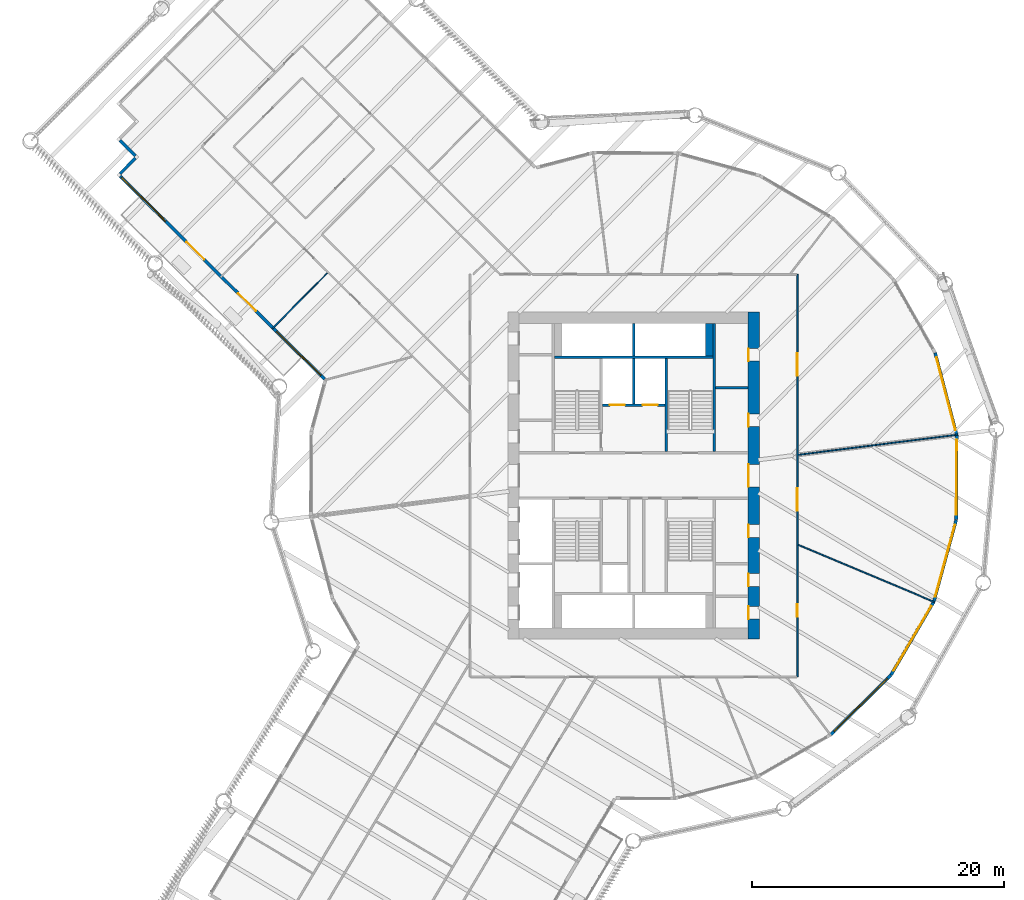
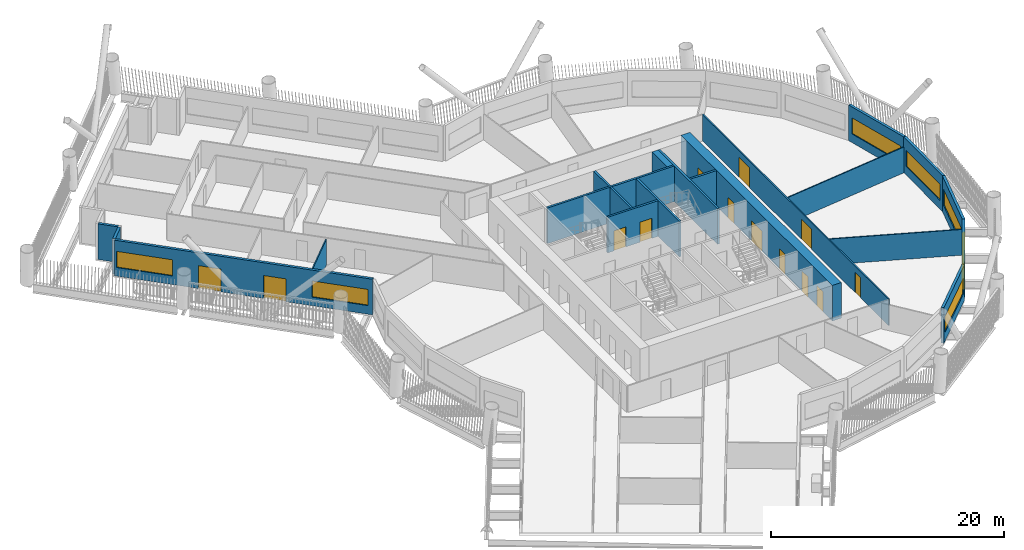
# One storey, part 6 of 22: 21 walls, 13 doors, 7 windows, 20 openings.
"""IFC4 building model written with IfcOpenShell, lengths in metres."""

from ifc_helpers import new_model, si_unit, direction, frame, frame_2d, origin, place, context, subcontext, project, spatial, rectangle, extrude, material, layer, layer_set, type_object, element, fill, save


model = new_model("IFC4")

# Units and contexts
model_context = context("Model", 3, precision=1e-05, world=origin(), true_north=direction((0.0, 1.0)))
body_context = subcontext(model_context, "Body", "Model", "MODEL_VIEW")
ifc_project = project(units=[si_unit("LENGTHUNIT", "METRE"), si_unit("AREAUNIT", "SQUARE_METRE"), si_unit("VOLUMEUNIT", "CUBIC_METRE"), si_unit("PLANEANGLEUNIT", "RADIAN"), si_unit("MASSUNIT", "GRAM", prefix="KILO")], contexts=[model_context])

# Site, building, storey
site_placement = place(None, origin())
site = spatial("IfcSite", under=ifc_project, at=site_placement, CompositionType="ELEMENT")
building_placement = place(site_placement, origin())
building = spatial("IfcBuilding", under=site, at=building_placement, Name="Tarsis Ring Headquarters", CompositionType="ELEMENT")
storey_placement = place(building_placement, frame((0.0, 0.0, 79.0)))
storey = spatial("IfcBuildingStorey", under=building, at=storey_placement, Name="L17", CompositionType="ELEMENT", Elevation=79.0)

# Wall
ifc_material_1 = material(Name="Blockwork", Category="masonry")
ifc_layer_1 = layer(ifc_material_1, 0.199951171875)
ifc_layer_set_1 = layer_set([ifc_layer_1], Name="Core blockwork wall 200")
wall_type_1 = type_object("IfcWallType", Name="Core blockwork wall 200", PredefinedType="PARTITIONING", material=ifc_layer_set_1)
wall_1_placement = place(storey_placement, frame((6.5, 7.0, 0.0), z_axis=(0.0, 0.0, 1.0), x_axis=(1.0, 0.0, 0.0)))
element("IfcWall", 1, at=wall_1_placement, inside=storey, type_object=wall_type_1, Name="Core partition ED6", PredefinedType="PARTITIONING", context=body_context, shape_type="SweptSolid", body=[
    extrude(rectangle(XDim=2.60009765625, YDim=0.199951171875, at=frame_2d((1.300048828125, 0.0))), origin(), (0.0, 0.0, 1.0), 3.739990234375),
])

# Wall, openings, doors
ifc_material_2 = material(Name="Concrete C60/75", Category="concrete")
ifc_layer_2 = layer(ifc_material_2, 0.89990234375)
ifc_layer_set_2 = layer_set([ifc_layer_2], Name="Core wall 900 C60/75")
wall_type_2 = type_object("IfcWallType", Name="Core wall 900 C60/75", PredefinedType="SHEAR", material=ifc_layer_set_2)
wall_2_placement = place(storey_placement, frame((9.550048828125, -13.0, 0.0), z_axis=(0.0, 0.0, 1.0), x_axis=(0.0, 1.0, 0.0)))
wall_2 = element("IfcWall", 2, at=wall_2_placement, inside=storey, type_object=wall_type_2, Name="Core wall OE", PredefinedType="SHEAR", context=body_context, shape_type="SweptSolid", body=[
    extrude(rectangle(XDim=26.0, YDim=0.89990234375, at=frame_2d((13.0, 0.0))), origin(), (0.0, 0.0, 1.0), 3.739990234375),
])
opening_1_placement = place(wall_2_placement, frame((1.60009765625, 0.0, 0.0)))
opening_1 = element("IfcOpeningElement", 3, at=opening_1_placement, cuts=wall_2, Name="Opening L17-C09", PredefinedType="OPENING", context=body_context, shape_type="SweptSolid", body=[
    extrude(rectangle(XDim=1.0, YDim=2.10009765625, at=frame_2d((0.5, 1.050048828125))), frame((0.0, 0.4599609375, 0.0), z_axis=(0.0, -1.0, 0.0), x_axis=(1.0, 0.0, 0.0)), (0.0, 0.0, 1.0), 0.919921875),
])
opening_2_placement = place(wall_2_placement, frame((4.199951171875, 0.0, 0.0)))
opening_2 = element("IfcOpeningElement", 4, at=opening_2_placement, cuts=wall_2, Name="Opening L17-C10", PredefinedType="OPENING", context=body_context, shape_type="SweptSolid", body=[
    extrude(rectangle(XDim=1.0, YDim=2.10009765625, at=frame_2d((0.5, 1.050048828125))), frame((0.0, 0.4599609375, 0.0), z_axis=(0.0, -1.0, 0.0), x_axis=(1.0, 0.0, 0.0)), (0.0, 0.0, 1.0), 0.919921875),
])
opening_3_placement = place(wall_2_placement, frame((8.10009765625, 0.0, 0.0)))
opening_3 = element("IfcOpeningElement", 5, at=opening_3_placement, cuts=wall_2, Name="Opening L17-C11", PredefinedType="OPENING", context=body_context, shape_type="SweptSolid", body=[
    extrude(rectangle(XDim=1.0, YDim=2.10009765625, at=frame_2d((0.5, 1.050048828125))), frame((0.0, 0.4599609375, 0.0), z_axis=(0.0, -1.0, 0.0), x_axis=(1.0, 0.0, 0.0)), (0.0, 0.0, 1.0), 0.919921875),
])
opening_4_placement = place(wall_2_placement, frame((12.10009765625, 0.0, 0.0)))
opening_4 = element("IfcOpeningElement", 6, at=opening_4_placement, cuts=wall_2, Name="Opening L17-C12", PredefinedType="OPENING", context=body_context, shape_type="SweptSolid", body=[
    extrude(rectangle(XDim=1.800048828125, YDim=2.10009765625, at=frame_2d((0.89990234375, 1.050048828125))), frame((0.0, 0.4599609375, 0.0), z_axis=(0.0, -1.0, 0.0), x_axis=(1.0, 0.0, 0.0)), (0.0, 0.0, 1.0), 0.919921875),
])
opening_5_placement = place(wall_2_placement, frame((16.89990234375, 0.0, 0.0)))
opening_5 = element("IfcOpeningElement", 7, at=opening_5_placement, cuts=wall_2, Name="Opening L17-C13", PredefinedType="OPENING", context=body_context, shape_type="SweptSolid", body=[
    extrude(rectangle(XDim=1.0, YDim=2.10009765625, at=frame_2d((0.5, 1.050048828125))), frame((0.0, 0.4599609375, 0.0), z_axis=(0.0, -1.0, 0.0), x_axis=(1.0, 0.0, 0.0)), (0.0, 0.0, 1.0), 0.919921875),
])
opening_6_placement = place(wall_2_placement, frame((22.10009765625, 0.0, 0.0)))
opening_6 = element("IfcOpeningElement", 8, at=opening_6_placement, cuts=wall_2, Name="Opening L17-C14", PredefinedType="OPENING", context=body_context, shape_type="SweptSolid", body=[
    extrude(rectangle(XDim=1.0, YDim=2.10009765625, at=frame_2d((0.5, 1.050048828125))), frame((0.0, 0.4599609375, 0.0), z_axis=(0.0, -1.0, 0.0), x_axis=(1.0, 0.0, 0.0)), (0.0, 0.0, 1.0), 0.919921875),
])
ifc_material_3 = material(Name="Steel S355", Category="steel")
door_type_1 = type_object("IfcDoorType", Name="Core entry door 1800x2100", OperationType="DOUBLE_DOOR_SINGLE_SWING", PredefinedType="DOOR", material=ifc_material_3)
door_1_placement = place(opening_4_placement, origin())
door_1 = element("IfcDoor", 9, at=door_1_placement, inside=storey, type_object=door_type_1, Name="Core entry door L17", OperationType="DOUBLE_DOOR_SINGLE_SWING", OverallHeight=2.10009765625, OverallWidth=1.800048828125, PredefinedType="DOOR", context=body_context, shape_type="SweptSolid", body=[
    extrude(rectangle(XDim=1.800048828125, YDim=2.10009765625, at=frame_2d((0.89990234375, 1.050048828125))), frame((0.0, 0.4501953125, 0.0), z_axis=(0.0, -1.0, 0.0), x_axis=(1.0, 0.0, 0.0)), (0.0, 0.0, 1.0), 0.050048828125),
])
fill(opening_4, door_1)
door_type_2 = type_object("IfcDoorType", Name="Core room door 1000x2100", OperationType="SINGLE_SWING_LEFT", PredefinedType="DOOR", material=ifc_material_3)
door_2_placement = place(opening_1_placement, origin())
door_2 = element("IfcDoor", 10, at=door_2_placement, inside=storey, type_object=door_type_2, Name="Core room door L17", OperationType="SINGLE_SWING_LEFT", OverallHeight=2.10009765625, OverallWidth=1.0, PredefinedType="DOOR", context=body_context, shape_type="SweptSolid", body=[
    extrude(rectangle(XDim=1.0, YDim=2.10009765625, at=frame_2d((0.5, 1.050048828125))), frame((0.0, 0.4501953125, 0.0), z_axis=(0.0, -1.0, 0.0), x_axis=(1.0, 0.0, 0.0)), (0.0, 0.0, 1.0), 0.050048828125),
])
fill(opening_1, door_2)
door_3_placement = place(opening_2_placement, origin())
door_3 = element("IfcDoor", 11, at=door_3_placement, inside=storey, type_object=door_type_2, Name="Core room door L17", OperationType="SINGLE_SWING_LEFT", OverallHeight=2.10009765625, OverallWidth=1.0, PredefinedType="DOOR", context=body_context, shape_type="SweptSolid", body=[
    extrude(rectangle(XDim=1.0, YDim=2.10009765625, at=frame_2d((0.5, 1.050048828125))), frame((0.0, 0.4501953125, 0.0), z_axis=(0.0, -1.0, 0.0), x_axis=(1.0, 0.0, 0.0)), (0.0, 0.0, 1.0), 0.050048828125),
])
fill(opening_2, door_3)
door_4_placement = place(opening_3_placement, origin())
door_4 = element("IfcDoor", 12, at=door_4_placement, inside=storey, type_object=door_type_2, Name="Core room door L17", OperationType="SINGLE_SWING_LEFT", OverallHeight=2.10009765625, OverallWidth=1.0, PredefinedType="DOOR", context=body_context, shape_type="SweptSolid", body=[
    extrude(rectangle(XDim=1.0, YDim=2.10009765625, at=frame_2d((0.5, 1.050048828125))), frame((0.0, 0.4501953125, 0.0), z_axis=(0.0, -1.0, 0.0), x_axis=(1.0, 0.0, 0.0)), (0.0, 0.0, 1.0), 0.050048828125),
])
fill(opening_3, door_4)
door_5_placement = place(opening_5_placement, origin())
door_5 = element("IfcDoor", 13, at=door_5_placement, inside=storey, type_object=door_type_2, Name="Core room door L17", OperationType="SINGLE_SWING_LEFT", OverallHeight=2.10009765625, OverallWidth=1.0, PredefinedType="DOOR", context=body_context, shape_type="SweptSolid", body=[
    extrude(rectangle(XDim=1.0, YDim=2.10009765625, at=frame_2d((0.5, 1.050048828125))), frame((0.0, 0.4501953125, 0.0), z_axis=(0.0, -1.0, 0.0), x_axis=(1.0, 0.0, 0.0)), (0.0, 0.0, 1.0), 0.050048828125),
])
fill(opening_5, door_5)
door_6_placement = place(opening_6_placement, origin())
door_6 = element("IfcDoor", 14, at=door_6_placement, inside=storey, type_object=door_type_2, Name="Core room door L17", OperationType="SINGLE_SWING_LEFT", OverallHeight=2.10009765625, OverallWidth=1.0, PredefinedType="DOOR", context=body_context, shape_type="SweptSolid", body=[
    extrude(rectangle(XDim=1.0, YDim=2.10009765625, at=frame_2d((0.5, 1.050048828125))), frame((0.0, 0.4501953125, 0.0), z_axis=(0.0, -1.0, 0.0), x_axis=(1.0, 0.0, 0.0)), (0.0, 0.0, 1.0), 0.050048828125),
])
fill(opening_6, door_6)

# Walls
ifc_material_4 = material(Name="Gypsum board on steel studs", Category="steel")
ifc_layer_3 = layer(ifc_material_4, 0.10009765625)
ifc_layer_set_3 = layer_set([ifc_layer_3], Name="FL partition 100 unrated")
wall_type_3 = type_object("IfcWallType", Name="FL partition 100 unrated", PredefinedType="PARTITIONING", material=ifc_layer_set_3)
wall_3_placement = place(storey_placement, frame((13.0693359375, 1.651123046875, 0.0), z_axis=(0.0, 0.0, 1.0), x_axis=(0.992114726728, 0.125333032399, 0.0)))
element("IfcWall", 15, at=wall_3_placement, inside=storey, type_object=wall_type_3, Name="Partition PW3", PredefinedType="PARTITIONING", context=body_context, shape_type="SweptSolid", body=[
    extrude(rectangle(XDim=12.774658203125, YDim=0.10009765625, at=frame_2d((6.38720703125, 0.0))), origin(), (0.0, 0.0, 1.0), 2.699951171875),
])
wall_4_placement = place(storey_placement, frame((13.07373046875, -5.49560546875, 0.0), z_axis=(0.0, 0.0, 1.0), x_axis=(0.921861754544, -0.387518909873, 0.0)))
element("IfcWall", 16, at=wall_4_placement, inside=storey, type_object=wall_type_3, Name="Partition PW3", PredefinedType="PARTITIONING", context=body_context, shape_type="SweptSolid", body=[
    extrude(rectangle(XDim=11.76611328125, YDim=0.10009765625, at=frame_2d((5.883056640625, 0.0))), origin(), (0.0, 0.0, 1.0), 2.699951171875),
])
wall_5_placement = place(storey_placement, frame((-28.728271484375, 11.687255859375, 0.0), z_axis=(0.0, 0.0, 1.0), x_axis=(0.704629659471, 0.709575255343, 0.0)))
element("IfcWall", 17, at=wall_5_placement, inside=storey, type_object=wall_type_3, Name="Partition PW3", PredefinedType="PARTITIONING", context=body_context, shape_type="SweptSolid", body=[
    extrude(rectangle(XDim=6.219970703125, YDim=0.10009765625, at=frame_2d((3.10986328125, 0.0))), origin(), (0.0, 0.0, 1.0), 2.699951171875),
])

# Wall, openings, doors
ifc_layer_4 = layer(ifc_material_4, 0.125)
ifc_layer_set_4 = layer_set([ifc_layer_4], Name="FL partition 125 EI 60 H2770")
wall_type_4 = type_object("IfcWallType", Name="FL partition 125 EI 60 H2770", PredefinedType="PARTITIONING", material=ifc_layer_set_4)
wall_6_placement = place(storey_placement, frame((13.0, -16.0, 0.0), z_axis=(0.0, 0.0, 1.0), x_axis=(0.0, 1.0, 0.0)))
wall_6 = element("IfcWall", 18, at=wall_6_placement, inside=storey, type_object=wall_type_4, Name="Partition PW1", PredefinedType="PARTITIONING", context=body_context, shape_type="SweptSolid", body=[
    extrude(rectangle(XDim=32.0, YDim=0.125, at=frame_2d((16.0, 0.0))), origin(), (0.0, 0.0, 1.0), 2.77001953125),
])
opening_7_placement = place(wall_6_placement, frame((23.921142578125, 0.0, 0.0)))
opening_7 = element("IfcOpeningElement", 19, at=opening_7_placement, cuts=wall_6, Name="Opening D17.08", PredefinedType="OPENING", context=body_context, shape_type="SweptSolid", body=[
    extrude(rectangle(XDim=1.800048828125, YDim=2.10009765625, at=frame_2d((0.89990234375, 1.050048828125))), frame((0.0, 0.072509765625, 0.0), z_axis=(0.0, -1.0, 0.0), x_axis=(1.0, 0.0, 0.0)), (0.0, 0.0, 1.0), 0.14501953125),
])
opening_8_placement = place(wall_6_placement, frame((13.188720703125, 0.0, 0.0)))
opening_8 = element("IfcOpeningElement", 20, at=opening_8_placement, cuts=wall_6, Name="Opening D17.09", PredefinedType="OPENING", context=body_context, shape_type="SweptSolid", body=[
    extrude(rectangle(XDim=1.800048828125, YDim=2.10009765625, at=frame_2d((0.89990234375, 1.050048828125))), frame((0.0, 0.072509765625, 0.0), z_axis=(0.0, -1.0, 0.0), x_axis=(1.0, 0.0, 0.0)), (0.0, 0.0, 1.0), 0.14501953125),
])
opening_9_placement = place(wall_6_placement, frame((4.767578125, 0.0, 0.0)))
opening_9 = element("IfcOpeningElement", 21, at=opening_9_placement, cuts=wall_6, Name="Opening D17.10", PredefinedType="OPENING", context=body_context, shape_type="SweptSolid", body=[
    extrude(rectangle(XDim=1.0, YDim=2.10009765625, at=frame_2d((0.5, 1.050048828125))), frame((0.0, 0.072509765625, 0.0), z_axis=(0.0, -1.0, 0.0), x_axis=(1.0, 0.0, 0.0)), (0.0, 0.0, 1.0), 0.14501953125),
])
ifc_material_5 = material(Name="Fire-rated timber door leaf in steel frame", Category="steel")
door_type_3 = type_object("IfcDoorType", Name="FL door FD60-1000", OperationType="NOTDEFINED", PredefinedType="DOOR", material=ifc_material_5)
door_7_placement = place(opening_9_placement, origin())
door_7 = element("IfcDoor", 22, at=door_7_placement, inside=storey, type_object=door_type_3, Name="Door D17.10", OperationType="SINGLE_SWING_LEFT", OverallHeight=2.10009765625, OverallWidth=1.0, PredefinedType="DOOR", context=body_context, shape_type="SweptSolid", body=[
    extrude(rectangle(XDim=1.0, YDim=2.10009765625, at=frame_2d((0.5, 1.050048828125))), frame((0.0, 0.02490234375, 0.0), z_axis=(0.0, -1.0, 0.0), x_axis=(1.0, 0.0, 0.0)), (0.0, 0.0, 1.0), 0.050048828125),
])
fill(opening_9, door_7)
door_type_4 = type_object("IfcDoorType", Name="FL door FD60-1800", OperationType="DOUBLE_DOOR_SINGLE_SWING", PredefinedType="DOOR", material=ifc_material_5)
door_8_placement = place(opening_7_placement, origin())
door_8 = element("IfcDoor", 23, at=door_8_placement, inside=storey, type_object=door_type_4, Name="Door D17.08", OperationType="DOUBLE_DOOR_SINGLE_SWING", OverallHeight=2.10009765625, OverallWidth=1.800048828125, PredefinedType="DOOR", context=body_context, shape_type="SweptSolid", body=[
    extrude(rectangle(XDim=1.800048828125, YDim=2.10009765625, at=frame_2d((0.89990234375, 1.050048828125))), frame((0.0, 0.02490234375, 0.0), z_axis=(0.0, -1.0, 0.0), x_axis=(1.0, 0.0, 0.0)), (0.0, 0.0, 1.0), 0.050048828125),
])
fill(opening_7, door_8)
door_9_placement = place(opening_8_placement, origin())
door_9 = element("IfcDoor", 24, at=door_9_placement, inside=storey, type_object=door_type_4, Name="Door D17.09", OperationType="DOUBLE_DOOR_SINGLE_SWING", OverallHeight=2.10009765625, OverallWidth=1.800048828125, PredefinedType="DOOR", context=body_context, shape_type="SweptSolid", body=[
    extrude(rectangle(XDim=1.800048828125, YDim=2.10009765625, at=frame_2d((0.89990234375, 1.050048828125))), frame((0.0, 0.02490234375, 0.0), z_axis=(0.0, -1.0, 0.0), x_axis=(1.0, 0.0, 0.0)), (0.0, 0.0, 1.0), 0.050048828125),
])
fill(opening_8, door_9)

# Wall, openings, doors, windows
ifc_material_6 = material(Name="Terracotta clad insulated panel wall", Category="masonry")
ifc_layer_5 = layer(ifc_material_6, 0.25)
ifc_layer_set_5 = layer_set([ifc_layer_5], Name="Facade wall terracotta panel 250")
wall_type_5 = type_object("IfcWallType", Name="Facade wall terracotta panel 250", PredefinedType="STANDARD", material=ifc_layer_set_5)
wall_7_placement = place(storey_placement, frame((-40.830322265625, 23.810791015625, 0.0), z_axis=(0.0, 0.0, 1.0), x_axis=(0.709568183697, -0.704636780679, 0.0)))
wall_7 = element("IfcWall", 25, at=wall_7_placement, inside=storey, type_object=wall_type_5, Name="External wall L17-01", PredefinedType="STANDARD", context=body_context, shape_type="SweptSolid", body=[
    extrude(rectangle(XDim=22.921875, YDim=0.25, at=frame_2d((11.4609375, 0.0))), origin(), (0.0, 0.0, 1.0), 3.739990234375),
])
opening_10_placement = place(wall_7_placement, frame((0.17138671875, 0.0, 0.89990234375)))
opening_10 = element("IfcOpeningElement", 26, at=opening_10_placement, cuts=wall_7, Name="Opening WN05", PredefinedType="OPENING", context=body_context, shape_type="SweptSolid", body=[
    extrude(rectangle(XDim=4.949951171875, YDim=1.699951171875, at=frame_2d((2.47509765625, 0.85009765625))), frame((0.0, 0.135009765625, 0.0), z_axis=(0.0, -1.0, 0.0), x_axis=(1.0, 0.0, 0.0)), (0.0, 0.0, 1.0), 0.27001953125),
])
opening_11_placement = place(wall_7_placement, frame((7.439453125, 0.0, 0.0)))
opening_11 = element("IfcOpeningElement", 27, at=opening_11_placement, cuts=wall_7, Name="Opening L17-BD01", PredefinedType="OPENING", context=body_context, shape_type="SweptSolid", body=[
    extrude(rectangle(XDim=2.0, YDim=2.39990234375, at=frame_2d((1.0, 1.199951171875))), frame((0.0, 0.135009765625, 0.0), z_axis=(0.0, -1.0, 0.0), x_axis=(1.0, 0.0, 0.0)), (0.0, 0.0, 1.0), 0.27001953125),
])
opening_12_placement = place(wall_7_placement, frame((13.232421875, 0.0, 0.0)))
opening_12 = element("IfcOpeningElement", 28, at=opening_12_placement, cuts=wall_7, Name="Opening L17-BD02", PredefinedType="OPENING", context=body_context, shape_type="SweptSolid", body=[
    extrude(rectangle(XDim=2.0, YDim=2.39990234375, at=frame_2d((1.0, 1.199951171875))), frame((0.0, 0.135009765625, 0.0), z_axis=(0.0, -1.0, 0.0), x_axis=(1.0, 0.0, 0.0)), (0.0, 0.0, 1.0), 0.27001953125),
])
opening_13_placement = place(wall_7_placement, frame((17.550537109375, 0.0, 0.89990234375)))
opening_13 = element("IfcOpeningElement", 29, at=opening_13_placement, cuts=wall_7, Name="Opening WN05", PredefinedType="OPENING", context=body_context, shape_type="SweptSolid", body=[
    extrude(rectangle(XDim=4.949951171875, YDim=1.699951171875, at=frame_2d((2.47509765625, 0.85009765625))), frame((0.0, 0.135009765625, 0.0), z_axis=(0.0, -1.0, 0.0), x_axis=(1.0, 0.0, 0.0)), (0.0, 0.0, 1.0), 0.27001953125),
])
ifc_material_7 = material(Name="Aluminium framed double glazing", Category="aluminium")
door_type_5 = type_object("IfcDoorType", Name="Balcony sliding door 2000 x 2400", OperationType="SLIDING_TO_LEFT", PredefinedType="DOOR", material=ifc_material_7)
door_10_placement = place(opening_11_placement, origin())
door_10 = element("IfcDoor", 30, at=door_10_placement, inside=storey, type_object=door_type_5, Name="Door L17-BD01", OperationType="SINGLE_SWING_LEFT", OverallHeight=2.39990234375, OverallWidth=2.0, PredefinedType="DOOR", context=body_context, shape_type="SweptSolid", body=[
    extrude(rectangle(XDim=2.0, YDim=2.39990234375, at=frame_2d((1.0, 1.199951171875))), frame((0.0, 0.02490234375, 0.0), z_axis=(0.0, -1.0, 0.0), x_axis=(1.0, 0.0, 0.0)), (0.0, 0.0, 1.0), 0.050048828125),
])
fill(opening_11, door_10)
door_11_placement = place(opening_12_placement, origin())
door_11 = element("IfcDoor", 31, at=door_11_placement, inside=storey, type_object=door_type_5, Name="Door L17-BD02", OperationType="SINGLE_SWING_LEFT", OverallHeight=2.39990234375, OverallWidth=2.0, PredefinedType="DOOR", context=body_context, shape_type="SweptSolid", body=[
    extrude(rectangle(XDim=2.0, YDim=2.39990234375, at=frame_2d((1.0, 1.199951171875))), frame((0.0, 0.02490234375, 0.0), z_axis=(0.0, -1.0, 0.0), x_axis=(1.0, 0.0, 0.0)), (0.0, 0.0, 1.0), 0.050048828125),
])
fill(opening_12, door_11)
window_type_1 = type_object("IfcWindowType", Name="Facade window 4950 x 1700", PartitioningType="SINGLE_PANEL", PredefinedType="WINDOW", material=ifc_material_7)
window_1_placement = place(opening_10_placement, origin())
window_1 = element("IfcWindow", 32, at=window_1_placement, inside=storey, type_object=window_type_1, Name="Window L17-01.1", OverallHeight=1.699951171875, OverallWidth=4.949951171875, PartitioningType="SINGLE_PANEL", PredefinedType="WINDOW", context=body_context, shape_type="SweptSolid", body=[
    extrude(rectangle(XDim=4.949951171875, YDim=1.699951171875, at=frame_2d((2.47509765625, 0.85009765625))), frame((0.0, 0.030029296875, 0.0), z_axis=(0.0, -1.0, 0.0), x_axis=(1.0, 0.0, 0.0)), (0.0, 0.0, 1.0), 0.06005859375),
])
fill(opening_10, window_1)
window_2_placement = place(opening_13_placement, origin())
window_2 = element("IfcWindow", 33, at=window_2_placement, inside=storey, type_object=window_type_1, Name="Window L17-01.4", OverallHeight=1.699951171875, OverallWidth=4.949951171875, PartitioningType="SINGLE_PANEL", PredefinedType="WINDOW", context=body_context, shape_type="SweptSolid", body=[
    extrude(rectangle(XDim=4.949951171875, YDim=1.699951171875, at=frame_2d((2.47509765625, 0.85009765625))), frame((0.0, 0.030029296875, 0.0), z_axis=(0.0, -1.0, 0.0), x_axis=(1.0, 0.0, 0.0)), (0.0, 0.0, 1.0), 0.06005859375),
])
fill(opening_13, window_2)

# Wall, opening, window
wall_8_placement = place(storey_placement, frame((15.655029296875, -20.59765625, 0.0), z_axis=(0.0, 0.0, 1.0), x_axis=(0.710802006514, 0.703392143499, 0.0)))
wall_8 = element("IfcWall", 34, at=wall_8_placement, inside=storey, type_object=wall_type_5, Name="External wall L17-20", PredefinedType="STANDARD", context=body_context, shape_type="SweptSolid", body=[
    extrude(rectangle(XDim=6.721435546875, YDim=0.25, at=frame_2d((3.36083984375, 0.0))), origin(), (0.0, 0.0, 1.0), 3.739990234375),
])
opening_14_placement = place(wall_8_placement, frame((0.3857421875, 0.0, 0.89990234375)))
opening_14 = element("IfcOpeningElement", 35, at=opening_14_placement, cuts=wall_8, Name="Opening WN07", PredefinedType="OPENING", context=body_context, shape_type="SweptSolid", body=[
    extrude(rectangle(XDim=5.949951171875, YDim=1.699951171875, at=frame_2d((2.97509765625, 0.85009765625))), frame((0.0, 0.135009765625, 0.0), z_axis=(0.0, -1.0, 0.0), x_axis=(1.0, 0.0, 0.0)), (0.0, 0.0, 1.0), 0.27001953125),
])
window_type_2 = type_object("IfcWindowType", Name="Facade window 5950 x 1700", PartitioningType="SINGLE_PANEL", PredefinedType="WINDOW", material=ifc_material_7)
window_3_placement = place(opening_14_placement, origin())
window_3 = element("IfcWindow", 36, at=window_3_placement, inside=storey, type_object=window_type_2, Name="Window L17-20.1", OverallHeight=1.699951171875, OverallWidth=5.949951171875, PartitioningType="SINGLE_PANEL", PredefinedType="WINDOW", context=body_context, shape_type="SweptSolid", body=[
    extrude(rectangle(XDim=5.949951171875, YDim=1.699951171875, at=frame_2d((2.97509765625, 0.85009765625))), frame((0.0, 0.030029296875, 0.0), z_axis=(0.0, -1.0, 0.0), x_axis=(1.0, 0.0, 0.0)), (0.0, 0.0, 1.0), 0.06005859375),
])
fill(opening_14, window_3)

wall_9_placement = place(storey_placement, frame((20.45263671875, -15.843994140625, 0.0), z_axis=(0.0, 0.0, 1.0), x_axis=(0.504552899392, 0.863380780256, 0.0)))
wall_9 = element("IfcWall", 37, at=wall_9_placement, inside=storey, type_object=wall_type_5, Name="External wall L17-21", PredefinedType="STANDARD", context=body_context, shape_type="SweptSolid", body=[
    extrude(rectangle(XDim=6.721435546875, YDim=0.25, at=frame_2d((3.36083984375, 0.0))), origin(), (0.0, 0.0, 1.0), 3.739990234375),
])
opening_15_placement = place(wall_9_placement, frame((0.3857421875, 0.0, 0.89990234375)))
opening_15 = element("IfcOpeningElement", 38, at=opening_15_placement, cuts=wall_9, Name="Opening WN07", PredefinedType="OPENING", context=body_context, shape_type="SweptSolid", body=[
    extrude(rectangle(XDim=5.949951171875, YDim=1.699951171875, at=frame_2d((2.97509765625, 0.85009765625))), frame((0.0, 0.135009765625, 0.0), z_axis=(0.0, -1.0, 0.0), x_axis=(1.0, 0.0, 0.0)), (0.0, 0.0, 1.0), 0.27001953125),
])
window_4_placement = place(opening_15_placement, origin())
window_4 = element("IfcWindow", 39, at=window_4_placement, inside=storey, type_object=window_type_2, Name="Window L17-21.1", OverallHeight=1.699951171875, OverallWidth=5.949951171875, PartitioningType="SINGLE_PANEL", PredefinedType="WINDOW", context=body_context, shape_type="SweptSolid", body=[
    extrude(rectangle(XDim=5.949951171875, YDim=1.699951171875, at=frame_2d((2.97509765625, 0.85009765625))), frame((0.0, 0.030029296875, 0.0), z_axis=(0.0, -1.0, 0.0), x_axis=(1.0, 0.0, 0.0)), (0.0, 0.0, 1.0), 0.06005859375),
])
fill(opening_15, window_4)

wall_10_placement = place(storey_placement, frame((23.8564453125, -10.0107421875, 0.0), z_axis=(0.0, 0.0, 1.0), x_axis=(0.263876445843, 0.964556489444, 0.0)))
wall_10 = element("IfcWall", 40, at=wall_10_placement, inside=storey, type_object=wall_type_5, Name="External wall L17-22", PredefinedType="STANDARD", context=body_context, shape_type="SweptSolid", body=[
    extrude(rectangle(XDim=6.7216796875, YDim=0.25, at=frame_2d((3.36083984375, 0.0))), origin(), (0.0, 0.0, 1.0), 3.739990234375),
])
opening_16_placement = place(wall_10_placement, frame((0.3857421875, 0.0, 0.89990234375)))
opening_16 = element("IfcOpeningElement", 41, at=opening_16_placement, cuts=wall_10, Name="Opening WN07", PredefinedType="OPENING", context=body_context, shape_type="SweptSolid", body=[
    extrude(rectangle(XDim=5.949951171875, YDim=1.699951171875, at=frame_2d((2.97509765625, 0.85009765625))), frame((0.0, 0.135009765625, 0.0), z_axis=(0.0, -1.0, 0.0), x_axis=(1.0, 0.0, 0.0)), (0.0, 0.0, 1.0), 0.27001953125),
])
window_5_placement = place(opening_16_placement, origin())
window_5 = element("IfcWindow", 42, at=window_5_placement, inside=storey, type_object=window_type_2, Name="Window L17-22.1", OverallHeight=1.699951171875, OverallWidth=5.949951171875, PartitioningType="SINGLE_PANEL", PredefinedType="WINDOW", context=body_context, shape_type="SweptSolid", body=[
    extrude(rectangle(XDim=5.949951171875, YDim=1.699951171875, at=frame_2d((2.97509765625, 0.85009765625))), frame((0.0, 0.030029296875, 0.0), z_axis=(0.0, -1.0, 0.0), x_axis=(1.0, 0.0, 0.0)), (0.0, 0.0, 1.0), 0.06005859375),
])
fill(opening_16, window_5)

wall_11_placement = place(storey_placement, frame((25.634521484375, -3.4951171875, 0.0), z_axis=(0.0, 0.0, 1.0), x_axis=(0.005266717117, 0.999986130749, 0.0)))
wall_11 = element("IfcWall", 43, at=wall_11_placement, inside=storey, type_object=wall_type_5, Name="External wall L17-23", PredefinedType="STANDARD", context=body_context, shape_type="SweptSolid", body=[
    extrude(rectangle(XDim=6.721435546875, YDim=0.25, at=frame_2d((3.36083984375, 0.0))), origin(), (0.0, 0.0, 1.0), 3.739990234375),
])
opening_17_placement = place(wall_11_placement, frame((0.3857421875, 0.0, 0.89990234375)))
opening_17 = element("IfcOpeningElement", 44, at=opening_17_placement, cuts=wall_11, Name="Opening WN07", PredefinedType="OPENING", context=body_context, shape_type="SweptSolid", body=[
    extrude(rectangle(XDim=5.949951171875, YDim=1.699951171875, at=frame_2d((2.97509765625, 0.85009765625))), frame((0.0, 0.135009765625, 0.0), z_axis=(0.0, -1.0, 0.0), x_axis=(1.0, 0.0, 0.0)), (0.0, 0.0, 1.0), 0.27001953125),
])
window_6_placement = place(opening_17_placement, origin())
window_6 = element("IfcWindow", 45, at=window_6_placement, inside=storey, type_object=window_type_2, Name="Window L17-23.1", OverallHeight=1.699951171875, OverallWidth=5.949951171875, PartitioningType="SINGLE_PANEL", PredefinedType="WINDOW", context=body_context, shape_type="SweptSolid", body=[
    extrude(rectangle(XDim=5.949951171875, YDim=1.699951171875, at=frame_2d((2.97509765625, 0.85009765625))), frame((0.0, 0.030029296875, 0.0), z_axis=(0.0, -1.0, 0.0), x_axis=(1.0, 0.0, 0.0)), (0.0, 0.0, 1.0), 0.06005859375),
])
fill(opening_17, window_6)

wall_12_placement = place(storey_placement, frame((25.665771484375, 3.2587890625, 0.0), z_axis=(0.0, 0.0, 1.0), x_axis=(-0.253783441606, 0.967261063398, 0.0)))
wall_12 = element("IfcWall", 46, at=wall_12_placement, inside=storey, type_object=wall_type_5, Name="External wall L17-24", PredefinedType="STANDARD", context=body_context, shape_type="SweptSolid", body=[
    extrude(rectangle(XDim=6.721435546875, YDim=0.25, at=frame_2d((3.36083984375, 0.0))), origin(), (0.0, 0.0, 1.0), 3.739990234375),
])
opening_18_placement = place(wall_12_placement, frame((0.3857421875, 0.0, 0.89990234375)))
opening_18 = element("IfcOpeningElement", 47, at=opening_18_placement, cuts=wall_12, Name="Opening WN07", PredefinedType="OPENING", context=body_context, shape_type="SweptSolid", body=[
    extrude(rectangle(XDim=5.949951171875, YDim=1.699951171875, at=frame_2d((2.97509765625, 0.85009765625))), frame((0.0, 0.135009765625, 0.0), z_axis=(0.0, -1.0, 0.0), x_axis=(1.0, 0.0, 0.0)), (0.0, 0.0, 1.0), 0.27001953125),
])
window_7_placement = place(opening_18_placement, origin())
window_7 = element("IfcWindow", 48, at=window_7_placement, inside=storey, type_object=window_type_2, Name="Window L17-24.1", OverallHeight=1.699951171875, OverallWidth=5.949951171875, PartitioningType="SINGLE_PANEL", PredefinedType="WINDOW", context=body_context, shape_type="SweptSolid", body=[
    extrude(rectangle(XDim=5.949951171875, YDim=1.699951171875, at=frame_2d((2.97509765625, 0.85009765625))), frame((0.0, 0.030029296875, 0.0), z_axis=(0.0, -1.0, 0.0), x_axis=(1.0, 0.0, 0.0)), (0.0, 0.0, 1.0), 0.06005859375),
])
fill(opening_18, window_7)

# Walls
wall_13_placement = place(storey_placement, frame((-40.84033203125, 26.63916015625, 0.0), z_axis=(0.0, 0.0, 1.0), x_axis=(0.70961373445, -0.704590908173, 0.0)))
element("IfcWall", 49, at=wall_13_placement, inside=storey, type_object=wall_type_5, Name="External wall L17-39", PredefinedType="STANDARD", context=body_context, shape_type="SweptSolid", body=[
    extrude(rectangle(XDim=1.749755859375, YDim=0.25, at=frame_2d((0.875, 0.0))), origin(), (0.0, 0.0, 1.0), 3.739990234375),
])
wall_14_placement = place(storey_placement, frame((-39.597900390625, 25.2294921875, 0.0), z_axis=(0.0, 0.0, 1.0), x_axis=(-0.704591405372, -0.70961324077, 0.0)))
element("IfcWall", 50, at=wall_14_placement, inside=storey, type_object=wall_type_5, Name="External wall L17-40", PredefinedType="STANDARD", context=body_context, shape_type="SweptSolid", body=[
    extrude(rectangle(XDim=1.750244140625, YDim=0.25, at=frame_2d((0.875, 0.0))), origin(), (0.0, 0.0, 1.0), 3.739990234375),
])
ifc_material_8 = material(Name="Concrete C32/40", Category="concrete")
ifc_layer_6 = layer(ifc_material_8, 0.60009765625)
ifc_layer_set_6 = layer_set([ifc_layer_6], Name="Shaft end wall 600 C32/40")
wall_type_6 = type_object("IfcWallType", Name="Shaft end wall 600 C32/40", PredefinedType="SOLIDWALL", material=ifc_layer_set_6)
wall_15_placement = place(storey_placement, frame((6.0, 9.5, 0.0), z_axis=(0.0, 0.0, 1.0), x_axis=(0.0, 1.0, 0.0)))
element("IfcWall", 51, at=wall_15_placement, inside=storey, type_object=wall_type_6, Name="Core shaft wall NNE2", PredefinedType="SOLIDWALL", context=body_context, shape_type="SweptSolid", body=[
    extrude(rectangle(XDim=2.60009765625, YDim=0.60009765625, at=frame_2d((1.300048828125, 0.0))), origin(), (0.0, 0.0, 1.0), 3.739990234375),
])
ifc_layer_7 = layer(ifc_material_8, 0.199951171875)
ifc_layer_set_7 = layer_set([ifc_layer_7], Name="Shaft wall 200 C32/40")
wall_type_7 = type_object("IfcWallType", Name="Shaft wall 200 C32/40", PredefinedType="SOLIDWALL", material=ifc_layer_set_7)
wall_16_placement = place(storey_placement, frame((6.39990234375, 1.89990234375, 0.0), z_axis=(0.0, 0.0, 1.0), x_axis=(0.0, 1.0, 0.0)))
element("IfcWall", 52, at=wall_16_placement, inside=storey, type_object=wall_type_7, Name="Core shaft wall EB2", PredefinedType="SOLIDWALL", context=body_context, shape_type="SweptSolid", body=[
    extrude(rectangle(XDim=10.2001953125, YDim=0.199951171875, at=frame_2d((5.10009765625, 0.0))), origin(), (0.0, 0.0, 1.0), 3.739990234375),
])
wall_17_placement = place(storey_placement, frame((-6.300048828125, 9.39990234375, 0.0), z_axis=(0.0, 0.0, 1.0), x_axis=(1.0, 0.0, 0.0)))
element("IfcWall", 53, at=wall_17_placement, inside=storey, type_object=wall_type_7, Name="Core shaft wall NB", PredefinedType="SOLIDWALL", context=body_context, shape_type="SweptSolid", body=[
    extrude(rectangle(XDim=12.60009765625, YDim=0.199951171875, at=frame_2d((6.300048828125, 0.0))), origin(), (0.0, 0.0, 1.0), 3.739990234375),
])
wall_18_placement = place(storey_placement, frame((2.60009765625, 1.89990234375, 0.0), z_axis=(0.0, 0.0, 1.0), x_axis=(0.0, 1.0, 0.0)))
element("IfcWall", 54, at=wall_18_placement, inside=storey, type_object=wall_type_7, Name="Core shaft wall SW2", PredefinedType="SOLIDWALL", context=body_context, shape_type="SweptSolid", body=[
    extrude(rectangle(XDim=7.400146484375, YDim=0.199951171875, at=frame_2d((3.7001953125, 0.0))), origin(), (0.0, 0.0, 1.0), 3.739990234375),
])

# Wall, openings, doors
wall_19_placement = place(storey_placement, frame((-2.5, 5.60009765625, 0.0), z_axis=(0.0, 0.0, 1.0), x_axis=(1.0, 0.0, 0.0)))
wall_19 = element("IfcWall", 55, at=wall_19_placement, inside=storey, type_object=wall_type_7, Name="Core shaft wall FFN", PredefinedType="SOLIDWALL", context=body_context, shape_type="SweptSolid", body=[
    extrude(rectangle(XDim=5.0, YDim=0.199951171875, at=frame_2d((2.5, 0.0))), origin(), (0.0, 0.0, 1.0), 3.739990234375),
])
opening_19_placement = place(wall_19_placement, frame((0.60009765625, 0.0, 0.0)))
opening_19 = element("IfcOpeningElement", 56, at=opening_19_placement, cuts=wall_19, Name="Opening LDF-1", PredefinedType="OPENING", context=body_context, shape_type="SweptSolid", body=[
    extrude(rectangle(XDim=1.199951171875, YDim=2.10009765625, at=frame_2d((0.60009765625, 1.050048828125))), frame((0.0, 0.10986328125, 0.0), z_axis=(0.0, -1.0, 0.0), x_axis=(1.0, 0.0, 0.0)), (0.0, 0.0, 1.0), 0.219970703125),
])
opening_20_placement = place(wall_19_placement, frame((3.199951171875, 0.0, 0.0)))
opening_20 = element("IfcOpeningElement", 57, at=opening_20_placement, cuts=wall_19, Name="Opening LDF-2", PredefinedType="OPENING", context=body_context, shape_type="SweptSolid", body=[
    extrude(rectangle(XDim=1.199951171875, YDim=2.10009765625, at=frame_2d((0.60009765625, 1.050048828125))), frame((0.0, 0.10986328125, 0.0), z_axis=(0.0, -1.0, 0.0), x_axis=(1.0, 0.0, 0.0)), (0.0, 0.0, 1.0), 0.219970703125),
])
door_type_6 = type_object("IfcDoorType", Name="Firefighting landing door 1200x2100", OperationType="SLIDING_TO_LEFT", PredefinedType="DOOR", material=ifc_material_3)
door_12_placement = place(opening_19_placement, origin())
door_12 = element("IfcDoor", 58, at=door_12_placement, inside=storey, type_object=door_type_6, Name="Landing door FF1 L17", OperationType="SLIDING_TO_LEFT", OverallHeight=2.10009765625, OverallWidth=1.199951171875, PredefinedType="DOOR", context=body_context, shape_type="SweptSolid", body=[
    extrude(rectangle(XDim=1.199951171875, YDim=2.10009765625, at=frame_2d((0.60009765625, 1.050048828125))), frame((0.0, 0.02490234375, 0.0), z_axis=(0.0, -1.0, 0.0), x_axis=(1.0, 0.0, 0.0)), (0.0, 0.0, 1.0), 0.050048828125),
])
fill(opening_19, door_12)
door_13_placement = place(opening_20_placement, origin())
door_13 = element("IfcDoor", 59, at=door_13_placement, inside=storey, type_object=door_type_6, Name="Landing door FF2 L17", OperationType="SLIDING_TO_LEFT", OverallHeight=2.10009765625, OverallWidth=1.199951171875, PredefinedType="DOOR", context=body_context, shape_type="SweptSolid", body=[
    extrude(rectangle(XDim=1.199951171875, YDim=2.10009765625, at=frame_2d((0.60009765625, 1.050048828125))), frame((0.0, 0.02490234375, 0.0), z_axis=(0.0, -1.0, 0.0), x_axis=(1.0, 0.0, 0.0)), (0.0, 0.0, 1.0), 0.050048828125),
])
fill(opening_20, door_13)

# Walls
wall_20_placement = place(storey_placement, frame((0.0, 5.699951171875, 0.0), z_axis=(0.0, 0.0, 1.0), x_axis=(0.0, 1.0, 0.0)))
element("IfcWall", 60, at=wall_20_placement, inside=storey, type_object=wall_type_7, Name="Core shaft wall FFD", PredefinedType="SOLIDWALL", context=body_context, shape_type="SweptSolid", body=[
    extrude(rectangle(XDim=3.60009765625, YDim=0.199951171875, at=frame_2d((1.800048828125, 0.0))), origin(), (0.0, 0.0, 1.0), 3.739990234375),
])
wall_21_placement = place(storey_placement, frame((0.0, 9.5, 0.0), z_axis=(0.0, 0.0, 1.0), x_axis=(0.0, 1.0, 0.0)))
element("IfcWall", 61, at=wall_21_placement, inside=storey, type_object=wall_type_7, Name="Core shaft wall ND2", PredefinedType="SOLIDWALL", context=body_context, shape_type="SweptSolid", body=[
    extrude(rectangle(XDim=2.60009765625, YDim=0.199951171875, at=frame_2d((1.300048828125, 0.0))), origin(), (0.0, 0.0, 1.0), 3.739990234375),
])

save(model, "model.ifc")
